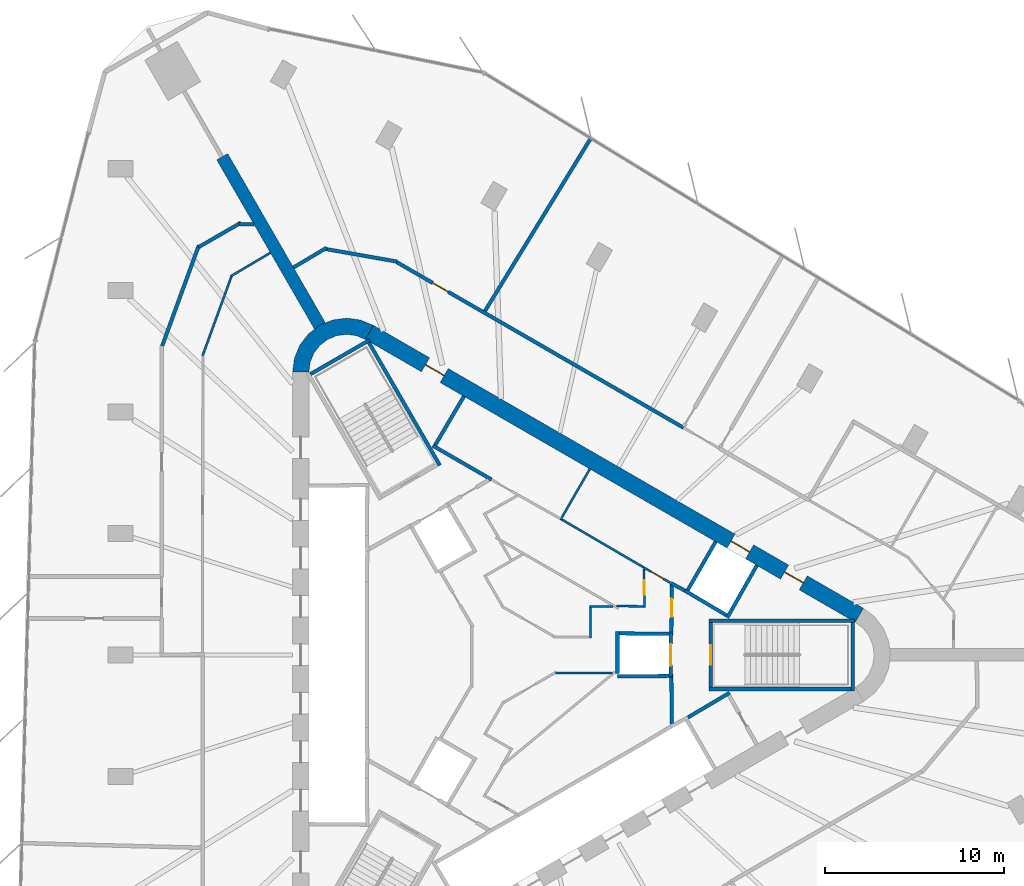
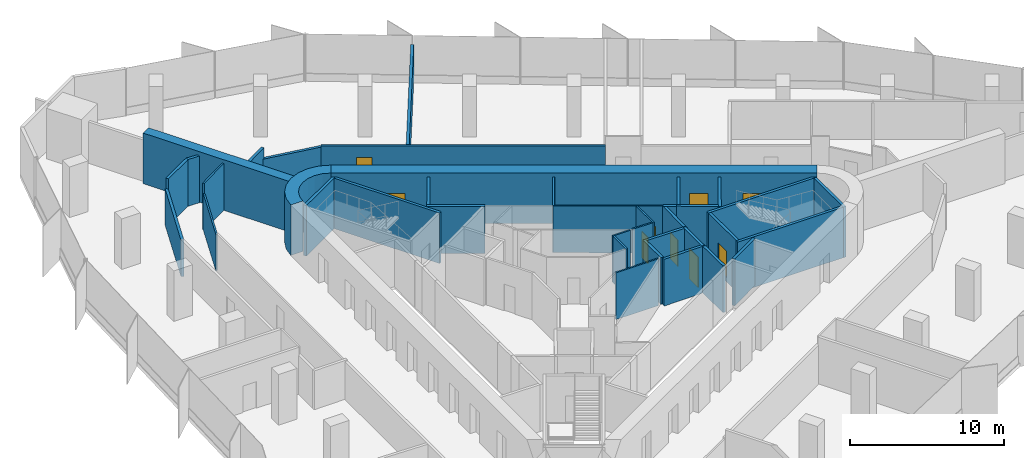
# One storey, part 11 of 14: 39 walls, 9 doors, 9 openings.
"""IFC4 building model written with IfcOpenShell, lengths in metres."""

from ifc_helpers import new_model, si_unit, direction, frame, frame_2d, origin, place, context, subcontext, project, spatial, polyline, rectangle, outline, extrude, material, layer, layer_set, type_object, element, fill, save


model = new_model("IFC4")

# Units and contexts
model_context = context("Model", 3, precision=1e-05, world=origin(), true_north=direction((0.0, 1.0)))
body_context = subcontext(model_context, "Body", "Model", "MODEL_VIEW")
ifc_project = project(units=[si_unit("LENGTHUNIT", "METRE"), si_unit("AREAUNIT", "SQUARE_METRE"), si_unit("VOLUMEUNIT", "CUBIC_METRE"), si_unit("PLANEANGLEUNIT", "RADIAN"), si_unit("MASSUNIT", "GRAM", prefix="KILO")], contexts=[model_context])

# Site, building, storey
site_placement = place(None, origin())
site = spatial("IfcSite", under=ifc_project, at=site_placement, CompositionType="ELEMENT")
building_placement = place(site_placement, origin())
building = spatial("IfcBuilding", under=site, at=building_placement, Name="Tanit Gate Tower", CompositionType="ELEMENT")
storey_placement = place(building_placement, frame((0.0, 0.0, 249.199951171875)))
storey = spatial("IfcBuildingStorey", under=building, at=storey_placement, Name="L56", CompositionType="ELEMENT", Elevation=249.199951171875)

# Wall
ifc_material_1 = material(Name="Concrete C50/60", Category="concrete")
ifc_layer_1 = layer(ifc_material_1, 0.699951171875)
ifc_layer_set_1 = layer_set([ifc_layer_1], Name="BUTTRESS FIN 700 C50/60")
wall_type_1 = type_object("IfcWallType", Name="BUTTRESS FIN 700 C50/60", PredefinedType="SHEAR", material=ifc_layer_set_1)
wall_1_placement = place(storey_placement, frame((-10.574951171875, 18.31640625, 0.0), z_axis=(0.0, 0.0, 1.0), x_axis=(-0.500002931134, 0.866023711487, 0.0)))
element("IfcWall", 1, at=wall_1_placement, inside=storey, type_object=wall_type_1, Name="BUTTRESS FIN", PredefinedType="SHEAR", context=body_context, shape_type="SweptSolid", body=[
    extrude(rectangle(XDim=10.900390625, YDim=0.699951171875, at=frame_2d((5.4501953125, 0.0))), origin(), (0.0, 0.0, 1.0), 4.0),
])

# Wall, openings, doors
ifc_material_2 = material(Name="Concrete C50/60", Category="concrete")
ifc_layer_2 = layer(ifc_material_2, 0.89990234375)
ifc_layer_set_2 = layer_set([ifc_layer_2], Name="CORE WALL 900 C50/60")
wall_type_2 = type_object("IfcWallType", Name="CORE WALL 900 C50/60", PredefinedType="SHEAR", material=ifc_layer_set_2)
wall_2_placement = place(storey_placement, frame((19.47509765625, 2.20849609375, 0.0), z_axis=(0.0, 0.0, 1.0), x_axis=(-0.866028369851, 0.499994862586, 0.0)))
wall_2 = element("IfcWall", 2, at=wall_2_placement, inside=storey, type_object=wall_type_2, Name="CORE WALL", PredefinedType="SHEAR", context=body_context, shape_type="SweptSolid", body=[
    extrude(rectangle(XDim=31.523193359375, YDim=0.89990234375, at=frame_2d((15.76171875, 0.0))), origin(), (0.0, 0.0, 1.0), 4.0),
])
opening_1_placement = place(wall_2_placement, frame((7.0615234375, 0.0, 0.0)))
opening_1 = element("IfcOpeningElement", 3, at=opening_1_placement, cuts=wall_2, Name="Opening LDML8-S15", PredefinedType="OPENING", context=body_context, shape_type="SweptSolid", body=[
    extrude(rectangle(XDim=1.199951171875, YDim=2.39990234375, at=frame_2d((0.60009765625, 1.199951171875))), frame((0.0, 0.4599609375, 0.0), z_axis=(0.0, -1.0, 0.0), x_axis=(1.0, 0.0, 0.0)), (0.0, 0.0, 1.0), 0.919921875),
])
opening_2_placement = place(wall_2_placement, frame((3.611572265625, 0.0, 0.0)))
opening_2 = element("IfcOpeningElement", 4, at=opening_2_placement, cuts=wall_2, Name="Opening F12-S15-FL1", PredefinedType="OPENING", context=body_context, shape_type="SweptSolid", body=[
    extrude(rectangle(XDim=1.199951171875, YDim=2.39990234375, at=frame_2d((0.60009765625, 1.199951171875))), frame((0.0, 0.4599609375, 0.0), z_axis=(0.0, -1.0, 0.0), x_axis=(1.0, 0.0, 0.0)), (0.0, 0.0, 1.0), 0.919921875),
])
opening_3_placement = place(wall_2_placement, frame((26.711669921875, 0.0, 0.0)))
opening_3 = element("IfcOpeningElement", 5, at=opening_3_placement, cuts=wall_2, Name="Opening F12-S15-S2", PredefinedType="OPENING", context=body_context, shape_type="SweptSolid", body=[
    extrude(rectangle(XDim=1.199951171875, YDim=2.39990234375, at=frame_2d((0.60009765625, 1.199951171875))), frame((0.0, 0.4599609375, 0.0), z_axis=(0.0, -1.0, 0.0), x_axis=(1.0, 0.0, 0.0)), (0.0, 0.0, 1.0), 0.919921875),
])
ifc_material_3 = material(Name="Fire-rated steel door leaf", Category="steel")
door_type_1 = type_object("IfcDoorType", Name="INT-DOOR-FIRE-LOBBY-1200", OperationType="NOTDEFINED", PredefinedType="USERDEFINED", material=ifc_material_3)
door_1_placement = place(opening_2_placement, origin())
door_1 = element("IfcDoor", 6, at=door_1_placement, inside=storey, type_object=door_type_1, Name="Door F12-S15-FL1", ObjectType="FIRE DOOR", OperationType="SINGLE_SWING_LEFT", OverallHeight=2.39990234375, OverallWidth=1.199951171875, PredefinedType="USERDEFINED", context=body_context, shape_type="SweptSolid", body=[
    extrude(rectangle(XDim=1.199951171875, YDim=2.39990234375, at=frame_2d((0.60009765625, 1.199951171875))), frame((0.0, 0.02490234375, 0.0), z_axis=(0.0, -1.0, 0.0), x_axis=(1.0, 0.0, 0.0)), (0.0, 0.0, 1.0), 0.050048828125),
])
fill(opening_2, door_1)
door_2_placement = place(opening_3_placement, origin())
door_2 = element("IfcDoor", 7, at=door_2_placement, inside=storey, type_object=door_type_1, Name="Door F12-S15-S2", ObjectType="FIRE DOOR", OperationType="SINGLE_SWING_LEFT", OverallHeight=2.39990234375, OverallWidth=1.199951171875, PredefinedType="USERDEFINED", context=body_context, shape_type="SweptSolid", body=[
    extrude(rectangle(XDim=1.199951171875, YDim=2.39990234375, at=frame_2d((0.60009765625, 1.199951171875))), frame((0.0, 0.02490234375, 0.0), z_axis=(0.0, -1.0, 0.0), x_axis=(1.0, 0.0, 0.0)), (0.0, 0.0, 1.0), 0.050048828125),
])
fill(opening_3, door_2)
ifc_material_4 = material(Name="Stainless steel sliding door leaf", Category="steel")
door_type_2 = type_object("IfcDoorType", Name="INT-DOOR-LANDING-1200", OperationType="NOTDEFINED", PredefinedType="USERDEFINED", material=ifc_material_4)
door_3_placement = place(opening_1_placement, origin())
door_3 = element("IfcDoor", 8, at=door_3_placement, inside=storey, type_object=door_type_2, Name="Door LDML8-S15", ObjectType="LANDING DOOR", OperationType="SLIDING_TO_LEFT", OverallHeight=2.39990234375, OverallWidth=1.199951171875, PredefinedType="USERDEFINED", context=body_context, shape_type="SweptSolid", body=[
    extrude(rectangle(XDim=1.199951171875, YDim=2.39990234375, at=frame_2d((0.60009765625, 1.199951171875))), frame((0.0, 0.02490234375, 0.0), z_axis=(0.0, -1.0, 0.0), x_axis=(1.0, 0.0, 0.0)), (0.0, 0.0, 1.0), 0.050048828125),
])
fill(opening_1, door_3)

# Walls
wall_3_placement = place(storey_placement, origin())
element("IfcWall", 9, at=wall_3_placement, inside=storey, type_object=wall_type_2, Name="CORE WALL CORNER", PredefinedType="SHEAR", context=body_context, shape_type="SweptSolid", body=[
    extrude(outline(polyline([(-7.60009765625, 18.359619140625), (-8.323486328125, 18.659423828125), (-9.10009765625, 18.76171875), (-9.87646484375, 18.659423828125), (-10.60009765625, 18.359619140625), (-11.22119140625, 17.883056640625), (-11.697998046875, 17.26171875), (-11.997802734375, 16.5380859375), (-12.10009765625, 15.76171875), (-11.199951171875, 15.76171875), (-11.12841796875, 16.30517578125), (-10.918701171875, 16.811767578125), (-10.5849609375, 17.24658203125), (-10.14990234375, 17.580322265625), (-9.6435546875, 17.7900390625), (-9.10009765625, 17.86181640625), (-8.556396484375, 17.7900390625), (-8.050048828125, 17.580322265625), (-7.60009765625, 18.359619140625)])), origin(), (0.0, 0.0, 1.0), 4.0),
])
ifc_material_5 = material(Name="Fire-rated gypsum board partition")
ifc_layer_3 = layer(ifc_material_5, 0.199951171875)
ifc_layer_set_3 = layer_set([ifc_layer_3], Name="INT-WALL-COMPARTMENT")
wall_type_3 = type_object("IfcWallType", Name="INT-WALL-COMPARTMENT", PredefinedType="PARTITIONING", material=ifc_layer_set_3)
wall_4_placement = place(storey_placement, frame((8.97412109375, 3.998779296875, 0.0), z_axis=(0.0, 0.0, 1.0), x_axis=(0.880917147855, -0.473270513147, 0.0)))
element("IfcWall", 10, at=wall_4_placement, inside=storey, type_object=wall_type_3, Name="Wall Compartment W050", PredefinedType="PARTITIONING", context=body_context, shape_type="SweptSolid", body=[
    extrude(rectangle(XDim=0.8779296875, YDim=0.199951171875, at=frame_2d((0.43896484375, 0.0))), origin(), (0.0, 0.0, 1.0), 3.699951171875),
])
wall_5_placement = place(storey_placement, frame((-4.295654296875, 11.659912109375, 0.0), z_axis=(0.0, 0.0, 1.0), x_axis=(0.866027389382, -0.499996560828, 0.0)))
element("IfcWall", 11, at=wall_5_placement, inside=storey, type_object=wall_type_3, Name="Wall Compartment W053", PredefinedType="PARTITIONING", context=body_context, shape_type="SweptSolid", body=[
    extrude(rectangle(XDim=3.77783203125, YDim=0.199951171875, at=frame_2d((1.888916015625, 0.0))), origin(), (0.0, 0.0, 1.0), 3.699951171875),
])
wall_6_placement = place(storey_placement, frame((-2.557861328125, 14.409423828125, 0.0), z_axis=(0.0, 0.0, 1.0), x_axis=(-0.508018930956, -0.861345903683, 0.0)))
element("IfcWall", 12, at=wall_6_placement, inside=storey, type_object=wall_type_3, Name="Wall Compartment W054", PredefinedType="PARTITIONING", context=body_context, shape_type="SweptSolid", body=[
    extrude(rectangle(XDim=3.150146484375, YDim=0.199951171875, at=frame_2d((1.5751953125, 0.0))), origin(), (0.0, 0.0, 1.0), 3.699951171875),
])
wall_7_placement = place(storey_placement, frame((12.244873046875, -2.10888671875, 0.0), z_axis=(0.0, 0.0, 1.0), x_axis=(-0.860414880418, -0.509594185166, 0.0)))
element("IfcWall", 13, at=wall_7_placement, inside=storey, type_object=wall_type_3, Name="Wall Compartment W057", PredefinedType="PARTITIONING", context=body_context, shape_type="SweptSolid", body=[
    extrude(rectangle(XDim=2.7001953125, YDim=0.199951171875, at=frame_2d((1.35009765625, 0.0))), origin(), (0.0, 0.0, 1.0), 3.699951171875),
])
wall_8_placement = place(storey_placement, frame((9.02880859375, -3.8505859375, 0.0), z_axis=(0.0, 0.0, 1.0), x_axis=(-0.010784614026, 0.999941844359, 0.0)))
element("IfcWall", 14, at=wall_8_placement, inside=storey, type_object=wall_type_3, Name="Wall Compartment W059", PredefinedType="PARTITIONING", context=body_context, shape_type="SweptSolid", body=[
    extrude(rectangle(XDim=2.580810546875, YDim=0.199951171875, at=frame_2d((1.29052734375, 0.0))), origin(), (0.0, 0.0, 1.0), 3.699951171875),
])

# Wall, opening, door
wall_9_placement = place(storey_placement, frame((9.0009765625, 1.27001953125, 0.0), z_axis=(0.0, 0.0, 1.0), x_axis=(0.010723968736, 0.999942496594, 0.0)))
wall_9 = element("IfcWall", 15, at=wall_9_placement, inside=storey, type_object=wall_type_3, Name="Wall Compartment W060", PredefinedType="PARTITIONING", context=body_context, shape_type="SweptSolid", body=[
    extrude(rectangle(XDim=2.709228515625, YDim=0.199951171875, at=frame_2d((1.3544921875, 0.0))), origin(), (0.0, 0.0, 1.0), 3.699951171875),
])
opening_4_placement = place(wall_9_placement, frame((0.848388671875, 0.0, 0.0)))
opening_4 = element("IfcOpeningElement", 16, at=opening_4_placement, cuts=wall_9, Name="Opening F10-S15-02", PredefinedType="OPENING", context=body_context, shape_type="SweptSolid", body=[
    extrude(rectangle(XDim=1.0, YDim=2.10009765625, at=frame_2d((0.5, 1.050048828125))), frame((0.0, 0.10986328125, 0.0), z_axis=(0.0, -1.0, 0.0), x_axis=(1.0, 0.0, 0.0)), (0.0, 0.0, 1.0), 0.219970703125),
])
ifc_material_6 = material(Name="Fire-rated steel door leaf", Category="steel")
door_type_3 = type_object("IfcDoorType", Name="INT-DOOR-FIRE-1000", OperationType="NOTDEFINED", PredefinedType="USERDEFINED", material=ifc_material_6)
door_4_placement = place(opening_4_placement, origin())
door_4 = element("IfcDoor", 17, at=door_4_placement, inside=storey, type_object=door_type_3, Name="Door F10-S15-02", ObjectType="FIRE DOOR", OperationType="SINGLE_SWING_RIGHT", OverallHeight=2.10009765625, OverallWidth=1.0, PredefinedType="USERDEFINED", context=body_context, shape_type="SweptSolid", body=[
    extrude(rectangle(XDim=1.0, YDim=2.10009765625, at=frame_2d((0.5, 1.050048828125))), frame((0.0, 0.02490234375, 0.0), z_axis=(0.0, -1.0, 0.0), x_axis=(1.0, 0.0, 0.0)), (0.0, 0.0, 1.0), 0.050048828125),
])
fill(opening_4, door_4)

# Walls
wall_10_placement = place(storey_placement, frame((-17.33056640625, 22.81396484375, 0.0), z_axis=(0.0, 0.0, 1.0), x_axis=(-0.342006584993, -0.939697555505, 0.0)))
element("IfcWall", 18, at=wall_10_placement, inside=storey, type_object=wall_type_3, Name="Wall Compartment W095", PredefinedType="PARTITIONING", context=body_context, shape_type="SweptSolid", body=[
    extrude(rectangle(XDim=5.95068359375, YDim=0.199951171875, at=frame_2d((2.975341796875, 0.0))), origin(), (0.0, 0.0, 1.0), 2.880126953125),
])
wall_11_placement = place(storey_placement, frame((-14.97998046875, 24.082763671875, 0.0), z_axis=(0.0, 0.0, 1.0), x_axis=(-0.866008795918, -0.500028764566, 0.0)))
element("IfcWall", 19, at=wall_11_placement, inside=storey, type_object=wall_type_3, Name="Wall Compartment W096", PredefinedType="PARTITIONING", context=body_context, shape_type="SweptSolid", body=[
    extrude(rectangle(XDim=2.713623046875, YDim=0.199951171875, at=frame_2d((1.35693359375, 0.0))), origin(), (0.0, 0.0, 1.0), 3.699951171875),
])
wall_12_placement = place(storey_placement, frame((-14.250244140625, 23.982421875, 0.0), z_axis=(0.0, 0.0, 1.0), x_axis=(-0.999799129767, 0.02004245786, 0.0)))
element("IfcWall", 20, at=wall_12_placement, inside=storey, type_object=wall_type_3, Name="Wall Compartment W097", PredefinedType="PARTITIONING", context=body_context, shape_type="SweptSolid", body=[
    extrude(rectangle(XDim=0.840576171875, YDim=0.199951171875, at=frame_2d((0.42041015625, 0.0))), origin(), (0.0, 0.0, 1.0), 3.699951171875),
])
wall_13_placement = place(storey_placement, frame((-10.209716796875, 22.681396484375, 0.0), z_axis=(0.0, 0.0, 1.0), x_axis=(-0.859700405816, -0.510798602425, 0.0)))
element("IfcWall", 21, at=wall_13_placement, inside=storey, type_object=wall_type_3, Name="Wall Compartment W103", PredefinedType="PARTITIONING", context=body_context, shape_type="SweptSolid", body=[
    extrude(rectangle(XDim=2.14892578125, YDim=0.199951171875, at=frame_2d((1.074462890625, 0.0))), origin(), (0.0, 0.0, 1.0), 3.699951171875),
])
wall_14_placement = place(storey_placement, frame((-6.28515625, 21.91259765625, 0.0), z_axis=(0.0, 0.0, 1.0), x_axis=(-0.984806073034, 0.173657705026, 0.0)))
element("IfcWall", 22, at=wall_14_placement, inside=storey, type_object=wall_type_3, Name="Wall Compartment W104", PredefinedType="PARTITIONING", context=body_context, shape_type="SweptSolid", body=[
    extrude(rectangle(XDim=4.03759765625, YDim=0.199951171875, at=frame_2d((2.018798828125, 0.0))), origin(), (0.0, 0.0, 1.0), 2.880126953125),
])

# Wall, opening, door
wall_15_placement = place(storey_placement, frame((9.67529296875, 12.658203125, 0.0), z_axis=(0.0, 0.0, 1.0), x_axis=(-0.866025327327, 0.500000132428, 0.0)))
wall_15 = element("IfcWall", 23, at=wall_15_placement, inside=storey, type_object=wall_type_3, Name="Wall Compartment W106", PredefinedType="PARTITIONING", context=body_context, shape_type="SweptSolid", body=[
    extrude(rectangle(XDim=18.443359375, YDim=0.199951171875, at=frame_2d((9.2216796875, 0.0))), origin(), (0.0, 0.0, 1.0), 2.97998046875),
])
opening_5_placement = place(wall_15_placement, frame((15.1376953125, 0.0, 0.0)))
opening_5 = element("IfcOpeningElement", 24, at=opening_5_placement, cuts=wall_15, Name="Opening F10-S15-34", PredefinedType="OPENING", context=body_context, shape_type="SweptSolid", body=[
    extrude(rectangle(XDim=1.0, YDim=2.10009765625, at=frame_2d((0.5, 1.050048828125))), frame((0.0, 0.10986328125, 0.0), z_axis=(0.0, -1.0, 0.0), x_axis=(1.0, 0.0, 0.0)), (0.0, 0.0, 1.0), 0.219970703125),
])
door_5_placement = place(opening_5_placement, origin())
door_5 = element("IfcDoor", 25, at=door_5_placement, inside=storey, type_object=door_type_3, Name="Door F10-S15-34", ObjectType="FIRE DOOR", OperationType="SINGLE_SWING_LEFT", OverallHeight=2.10009765625, OverallWidth=1.0, PredefinedType="USERDEFINED", context=body_context, shape_type="SweptSolid", body=[
    extrude(rectangle(XDim=1.0, YDim=2.10009765625, at=frame_2d((0.5, 1.050048828125))), frame((0.0, 0.02490234375, 0.0), z_axis=(0.0, -1.0, 0.0), x_axis=(1.0, 0.0, 0.0)), (0.0, 0.0, 1.0), 0.050048828125),
])
fill(opening_5, door_5)

# Walls
wall_16_placement = place(storey_placement, frame((-1.38525390625, 19.15966796875, 0.0), z_axis=(0.0, 0.0, 1.0), x_axis=(0.522271376538, 0.852779343822, 0.0)))
element("IfcWall", 26, at=wall_16_placement, inside=storey, type_object=wall_type_3, Name="Wall Compartment W133", PredefinedType="PARTITIONING", context=body_context, shape_type="SweptSolid", body=[
    extrude(rectangle(XDim=11.286376953125, YDim=0.199951171875, at=frame_2d((5.64306640625, 0.0))), origin(), (0.0, 0.0, 1.0), 2.97998046875),
])
ifc_material_7 = material(Name="Gypsum board partition")
ifc_layer_4 = layer(ifc_material_7, 0.1201171875)
ifc_layer_set_4 = layer_set([ifc_layer_4], Name="INT-WALL-PARTITION")
wall_type_4 = type_object("IfcWallType", Name="INT-WALL-PARTITION", PredefinedType="PARTITIONING", material=ifc_layer_set_4)
wall_17_placement = place(storey_placement, frame((4.456787109375, 10.359375, 0.0), z_axis=(0.0, 0.0, 1.0), x_axis=(-0.500017246033, -0.866015446554, 0.0)))
element("IfcWall", 27, at=wall_17_placement, inside=storey, type_object=wall_type_4, Name="Wall Partition W049", PredefinedType="PARTITIONING", context=body_context, shape_type="SweptSolid", body=[
    extrude(rectangle(XDim=3.25, YDim=0.1201171875, at=frame_2d((1.625, 0.0))), origin(), (0.0, 0.0, 1.0), 3.699951171875),
])
wall_18_placement = place(storey_placement, frame((2.82080078125, 7.5859375, 0.0), z_axis=(0.0, 0.0, 1.0), x_axis=(0.863262357411, -0.504755487615, 0.0)))
element("IfcWall", 28, at=wall_18_placement, inside=storey, type_object=wall_type_4, Name="Wall Partition W051", PredefinedType="PARTITIONING", context=body_context, shape_type="SweptSolid", body=[
    extrude(rectangle(XDim=5.370361328125, YDim=0.1201171875, at=frame_2d((2.68505859375, 0.0))), origin(), (0.0, 0.0, 1.0), 3.699951171875),
])

# Wall, opening, door
wall_19_placement = place(storey_placement, frame((7.45654296875, 4.874755859375, 0.0), z_axis=(0.0, 0.0, 1.0), x_axis=(0.866027945518, -0.499995597562, 0.0)))
wall_19 = element("IfcWall", 29, at=wall_19_placement, inside=storey, type_object=wall_type_4, Name="Wall Partition W052", PredefinedType="PARTITIONING", context=body_context, shape_type="SweptSolid", body=[
    extrude(rectangle(XDim=1.7021484375, YDim=0.1201171875, at=frame_2d((0.85107421875, 0.0))), origin(), (0.0, 0.0, 1.0), 3.699951171875),
])
opening_6_placement = place(wall_19_placement, frame((0.461181640625, 0.0, 0.0)))
opening_6 = element("IfcOpeningElement", 30, at=opening_6_placement, cuts=wall_19, Name="Opening R08-S15-15", PredefinedType="OPENING", context=body_context, shape_type="SweptSolid", body=[
    extrude(rectangle(XDim=0.800048828125, YDim=2.10009765625, at=frame_2d((0.39990234375, 1.050048828125))), frame((0.0, 0.070068359375, 0.0), z_axis=(0.0, -1.0, 0.0), x_axis=(1.0, 0.0, 0.0)), (0.0, 0.0, 1.0), 0.14013671875),
])
ifc_material_8 = material(Name="Timber door leaf", Category="wood")
door_type_4 = type_object("IfcDoorType", Name="INT-DOOR-RISER-800", OperationType="NOTDEFINED", PredefinedType="USERDEFINED", material=ifc_material_8)
door_6_placement = place(opening_6_placement, origin())
door_6 = element("IfcDoor", 31, at=door_6_placement, inside=storey, type_object=door_type_4, Name="Door R08-S15-15", ObjectType="FIRE DOOR", OperationType="SINGLE_SWING_RIGHT", OverallHeight=2.10009765625, OverallWidth=0.800048828125, PredefinedType="USERDEFINED", context=body_context, shape_type="SweptSolid", body=[
    extrude(rectangle(XDim=0.800048828125, YDim=2.10009765625, at=frame_2d((0.39990234375, 1.050048828125))), frame((0.0, 0.02490234375, 0.0), z_axis=(0.0, -1.0, 0.0), x_axis=(1.0, 0.0, 0.0)), (0.0, 0.0, 1.0), 0.050048828125),
])
fill(opening_6, door_6)

# Walls
wall_20_placement = place(storey_placement, frame((5.712646484375, -1.0, 0.0), z_axis=(0.0, 0.0, 1.0), x_axis=(-1.0, 0.0, 0.0)))
element("IfcWall", 32, at=wall_20_placement, inside=storey, type_object=wall_type_4, Name="Wall Partition W073", PredefinedType="PARTITIONING", context=body_context, shape_type="SweptSolid", body=[
    extrude(rectangle(XDim=3.1826171875, YDim=0.1201171875, at=frame_2d((1.59130859375, 0.0))), origin(), (0.0, 0.0, 1.0), 3.699951171875),
])
wall_21_placement = place(storey_placement, frame((4.43994140625, 2.699951171875, 0.0), z_axis=(0.0, 0.0, 1.0), x_axis=(1.0, 0.0, 0.0)))
element("IfcWall", 33, at=wall_21_placement, inside=storey, type_object=wall_type_4, Name="Wall Partition W077", PredefinedType="PARTITIONING", context=body_context, shape_type="SweptSolid", body=[
    extrude(rectangle(XDim=1.301513671875, YDim=0.1201171875, at=frame_2d((0.65087890625, 0.0))), origin(), (0.0, 0.0, 1.0), 3.699951171875),
])
wall_22_placement = place(storey_placement, frame((4.5, 0.93994140625, 0.0), z_axis=(0.0, 0.0, 1.0), x_axis=(0.0, 1.0, 0.0)))
element("IfcWall", 34, at=wall_22_placement, inside=storey, type_object=wall_type_4, Name="Wall Partition W078", PredefinedType="PARTITIONING", context=body_context, shape_type="SweptSolid", body=[
    extrude(rectangle(XDim=1.699951171875, YDim=0.1201171875, at=frame_2d((0.85009765625, 0.0))), origin(), (0.0, 0.0, 1.0), 3.699951171875),
])

# Wall, opening, door
wall_23_placement = place(storey_placement, frame((7.500732421875, 2.639892578125, 0.0), z_axis=(0.0, 0.0, 1.0), x_axis=(-0.01178388431, 0.999930567625, 0.0)))
wall_23 = element("IfcWall", 35, at=wall_23_placement, inside=storey, type_object=wall_type_4, Name="Wall Partition W086", PredefinedType="PARTITIONING", context=body_context, shape_type="SweptSolid", body=[
    extrude(rectangle(XDim=2.15478515625, YDim=0.1201171875, at=frame_2d((1.077392578125, 0.0))), origin(), (0.0, 0.0, 1.0), 3.699951171875),
])
opening_7_placement = place(wall_23_placement, frame((0.707275390625, 0.0, 0.0)))
opening_7 = element("IfcOpeningElement", 36, at=opening_7_placement, cuts=wall_23, Name="Opening R08-S15-14", PredefinedType="OPENING", context=body_context, shape_type="SweptSolid", body=[
    extrude(rectangle(XDim=0.800048828125, YDim=2.10009765625, at=frame_2d((0.39990234375, 1.050048828125))), frame((0.0, 0.070068359375, 0.0), z_axis=(0.0, -1.0, 0.0), x_axis=(1.0, 0.0, 0.0)), (0.0, 0.0, 1.0), 0.14013671875),
])
door_7_placement = place(opening_7_placement, origin())
door_7 = element("IfcDoor", 37, at=door_7_placement, inside=storey, type_object=door_type_4, Name="Door R08-S15-14", ObjectType="FIRE DOOR", OperationType="SINGLE_SWING_LEFT", OverallHeight=2.10009765625, OverallWidth=0.800048828125, PredefinedType="USERDEFINED", context=body_context, shape_type="SweptSolid", body=[
    extrude(rectangle(XDim=0.800048828125, YDim=2.10009765625, at=frame_2d((0.39990234375, 1.050048828125))), frame((0.0, 0.02490234375, 0.0), z_axis=(0.0, -1.0, 0.0), x_axis=(1.0, 0.0, 0.0)), (0.0, 0.0, 1.0), 0.050048828125),
])
fill(opening_7, door_7)

# Walls
wall_24_placement = place(storey_placement, frame((5.93408203125, 2.727294921875, 0.0), z_axis=(0.0, 0.0, 1.0), x_axis=(0.999846739959, -0.017507044085, 0.0)))
element("IfcWall", 38, at=wall_24_placement, inside=storey, type_object=wall_type_4, Name="Wall Partition W087", PredefinedType="PARTITIONING", context=body_context, shape_type="SweptSolid", body=[
    extrude(rectangle(XDim=1.506103515625, YDim=0.1201171875, at=frame_2d((0.7529296875, 0.0))), origin(), (0.0, 0.0, 1.0), 3.699951171875),
])
wall_25_placement = place(storey_placement, frame((-13.33935546875, 22.404541015625, 0.0), z_axis=(0.0, 0.0, 1.0), x_axis=(-0.86070028932, -0.509111983718, 0.0)))
element("IfcWall", 39, at=wall_25_placement, inside=storey, type_object=wall_type_4, Name="Wall Partition W088", PredefinedType="PARTITIONING", context=body_context, shape_type="SweptSolid", body=[
    extrude(rectangle(XDim=2.578857421875, YDim=0.1201171875, at=frame_2d((1.28955078125, 0.0))), origin(), (0.0, 0.0, 1.0), 3.699951171875),
])
wall_26_placement = place(storey_placement, frame((-15.505859375, 21.102783203125, 0.0), z_axis=(0.0, 0.0, 1.0), x_axis=(-0.342017079535, -0.939693735909, 0.0)))
element("IfcWall", 40, at=wall_26_placement, inside=storey, type_object=wall_type_4, Name="Wall Partition W089", PredefinedType="PARTITIONING", context=body_context, shape_type="SweptSolid", body=[
    extrude(rectangle(XDim=4.72119140625, YDim=0.1201171875, at=frame_2d((2.360595703125, 0.0))), origin(), (0.0, 0.0, 1.0), 2.880126953125),
])
ifc_material_9 = material(Name="Gypsum shaft wall system")
ifc_layer_5 = layer(ifc_material_9, 0.199951171875)
ifc_layer_set_5 = layer_set([ifc_layer_5], Name="INT-WALL-SHAFT")
wall_type_5 = type_object("IfcWallType", Name="INT-WALL-SHAFT", PredefinedType="PLUMBINGWALL", material=ifc_layer_set_5)
wall_27_placement = place(storey_placement, frame((9.8466796875, 3.494873046875, 0.0), z_axis=(0.0, 0.0, 1.0), x_axis=(0.499984717929, 0.866034226713, 0.0)))
element("IfcWall", 41, at=wall_27_placement, inside=storey, type_object=wall_type_5, Name="Wall Shaft W012", PredefinedType="PLUMBINGWALL", context=body_context, shape_type="SweptSolid", body=[
    extrude(rectangle(XDim=3.25, YDim=0.199951171875, at=frame_2d((1.625, 0.0))), origin(), (0.0, 0.0, 1.0), 3.699951171875),
])
wall_28_placement = place(storey_placement, frame((12.10986328125, 2.07275390625, 0.0), z_axis=(0.0, 0.0, 1.0), x_axis=(0.49196600604, 0.870614408852, 0.0)))
element("IfcWall", 42, at=wall_28_placement, inside=storey, type_object=wall_type_5, Name="Wall Shaft W013", PredefinedType="PLUMBINGWALL", context=body_context, shape_type="SweptSolid", body=[
    extrude(rectangle(XDim=3.35009765625, YDim=0.199951171875, at=frame_2d((1.675048828125, 0.0))), origin(), (0.0, 0.0, 1.0), 3.699951171875),
])
wall_29_placement = place(storey_placement, frame((12.072998046875, 2.2109375, 0.0), z_axis=(0.0, 0.0, 1.0), x_axis=(-0.860414880418, 0.509594185166, 0.0)))
element("IfcWall", 43, at=wall_29_placement, inside=storey, type_object=wall_type_5, Name="Wall Shaft W014", PredefinedType="PLUMBINGWALL", context=body_context, shape_type="SweptSolid", body=[
    extrude(rectangle(XDim=2.7001953125, YDim=0.199951171875, at=frame_2d((1.35009765625, 0.0))), origin(), (0.0, 0.0, 1.0), 3.699951171875),
])

# Wall, opening, door
wall_30_placement = place(storey_placement, frame((8.969970703125, 1.199951171875, 0.0), z_axis=(0.0, 0.0, 1.0), x_axis=(0.0, -1.0, 0.0)))
wall_30 = element("IfcWall", 44, at=wall_30_placement, inside=storey, type_object=wall_type_5, Name="Wall Shaft W029", PredefinedType="PLUMBINGWALL", context=body_context, shape_type="SweptSolid", body=[
    extrude(rectangle(XDim=2.39990234375, YDim=0.199951171875, at=frame_2d((1.199951171875, 0.0))), origin(), (0.0, 0.0, 1.0), 3.699951171875),
])
opening_8_placement = place(wall_30_placement, frame((0.60009765625, 0.0, 0.0)))
opening_8 = element("IfcOpeningElement", 45, at=opening_8_placement, cuts=wall_30, Name="Opening LDFL1-L56", PredefinedType="OPENING", context=body_context, shape_type="SweptSolid", body=[
    extrude(rectangle(XDim=1.199951171875, YDim=2.39990234375, at=frame_2d((0.60009765625, 1.199951171875))), frame((0.0, 0.10986328125, 0.0), z_axis=(0.0, -1.0, 0.0), x_axis=(1.0, 0.0, 0.0)), (0.0, 0.0, 1.0), 0.219970703125),
])
door_8_placement = place(opening_8_placement, origin())
door_8 = element("IfcDoor", 46, at=door_8_placement, inside=storey, type_object=door_type_2, Name="Door LDFL1-L56", ObjectType="LANDING DOOR", OperationType="SLIDING_TO_LEFT", OverallHeight=2.39990234375, OverallWidth=1.199951171875, PredefinedType="USERDEFINED", context=body_context, shape_type="SweptSolid", body=[
    extrude(rectangle(XDim=1.199951171875, YDim=2.39990234375, at=frame_2d((0.60009765625, 1.199951171875))), frame((0.0, 0.02490234375, 0.0), z_axis=(0.0, -1.0, 0.0), x_axis=(1.0, 0.0, 0.0)), (0.0, 0.0, 1.0), 0.050048828125),
])
fill(opening_8, door_8)

# Walls
wall_31_placement = place(storey_placement, frame((9.10009765625, -1.1689453125, 0.0), z_axis=(0.0, 0.0, 1.0), x_axis=(-0.999949988, -0.010001074852, 0.0)))
element("IfcWall", 47, at=wall_31_placement, inside=storey, type_object=wall_type_5, Name="Wall Shaft W030", PredefinedType="PLUMBINGWALL", context=body_context, shape_type="SweptSolid", body=[
    extrude(rectangle(XDim=3.100341796875, YDim=0.199951171875, at=frame_2d((1.55029296875, 0.0))), origin(), (0.0, 0.0, 1.0), 3.699951171875),
])
wall_32_placement = place(storey_placement, frame((6.0, -1.029541015625, 0.0), z_axis=(0.0, 0.0, 1.0), x_axis=(0.0, 1.0, 0.0)))
element("IfcWall", 48, at=wall_32_placement, inside=storey, type_object=wall_type_5, Name="Wall Shaft W031", PredefinedType="PLUMBINGWALL", context=body_context, shape_type="SweptSolid", body=[
    extrude(rectangle(XDim=2.32958984375, YDim=0.199951171875, at=frame_2d((1.164794921875, 0.0))), origin(), (0.0, 0.0, 1.0), 3.699951171875),
])
wall_33_placement = place(storey_placement, frame((9.10009765625, 1.1689453125, 0.0), z_axis=(0.0, 0.0, 1.0), x_axis=(-0.99994990606, 0.010009264196, 0.0)))
element("IfcWall", 49, at=wall_33_placement, inside=storey, type_object=wall_type_5, Name="Wall Shaft W032", PredefinedType="PLUMBINGWALL", context=body_context, shape_type="SweptSolid", body=[
    extrude(rectangle(XDim=3.000244140625, YDim=0.199951171875, at=frame_2d((1.5, 0.0))), origin(), (0.0, 0.0, 1.0), 3.699951171875),
])
ifc_material_10 = material(Name="Concrete C40/50", Category="concrete")
ifc_layer_6 = layer(ifc_material_10, 0.199951171875)
ifc_layer_set_6 = layer_set([ifc_layer_6], Name="INT-WALL-STAIR")
wall_type_6 = type_object("IfcWallType", Name="INT-WALL-STAIR", PredefinedType="SHEAR", material=ifc_layer_set_6)
wall_34_placement = place(storey_placement, frame((19.199951171875, 1.89990234375, -0.300048828125), z_axis=(0.0, 0.0, 1.0), x_axis=(-1.0, 0.0, 0.0)))
element("IfcWall", 50, at=wall_34_placement, inside=storey, type_object=wall_type_6, Name="Wall Stair W025", PredefinedType="SHEAR", context=body_context, shape_type="SweptSolid", body=[
    extrude(rectangle(XDim=8.099853515625, YDim=0.199951171875, at=frame_2d((4.0498046875, 0.0))), origin(), (0.0, 0.0, 1.0), 4.0),
])
wall_35_placement = place(storey_placement, frame((19.10009765625, -2.0, -0.300048828125), z_axis=(0.0, 0.0, 1.0), x_axis=(0.0, 1.0, 0.0)))
element("IfcWall", 51, at=wall_35_placement, inside=storey, type_object=wall_type_6, Name="Wall Stair W026", PredefinedType="SHEAR", context=body_context, shape_type="SweptSolid", body=[
    extrude(rectangle(XDim=3.800048828125, YDim=0.199951171875, at=frame_2d((1.89990234375, 0.0))), origin(), (0.0, 0.0, 1.0), 4.0),
])
wall_36_placement = place(storey_placement, frame((11.10009765625, -1.89990234375, -0.300048828125), z_axis=(0.0, 0.0, 1.0), x_axis=(1.0, 0.0, 0.0)))
element("IfcWall", 52, at=wall_36_placement, inside=storey, type_object=wall_type_6, Name="Wall Stair W027", PredefinedType="SHEAR", context=body_context, shape_type="SweptSolid", body=[
    extrude(rectangle(XDim=7.89990234375, YDim=0.199951171875, at=frame_2d((3.949951171875, 0.0))), origin(), (0.0, 0.0, 1.0), 4.0),
])

# Wall, opening, door
wall_37_placement = place(storey_placement, frame((11.199951171875, -1.800048828125, -0.300048828125), z_axis=(0.0, 0.0, 1.0), x_axis=(0.0, 1.0, 0.0)))
wall_37 = element("IfcWall", 53, at=wall_37_placement, inside=storey, type_object=wall_type_6, Name="Wall Stair W028", PredefinedType="SHEAR", context=body_context, shape_type="SweptSolid", body=[
    extrude(rectangle(XDim=3.60009765625, YDim=0.199951171875, at=frame_2d((1.800048828125, 0.0))), origin(), (0.0, 0.0, 1.0), 4.0),
])
opening_9_placement = place(wall_37_placement, frame((1.25, 0.0, 0.300048828125)))
opening_9 = element("IfcOpeningElement", 54, at=opening_9_placement, cuts=wall_37, Name="Opening S11-S15-01", PredefinedType="OPENING", context=body_context, shape_type="SweptSolid", body=[
    extrude(rectangle(XDim=1.10009765625, YDim=2.10009765625, at=frame_2d((0.550048828125, 1.050048828125))), frame((0.0, 0.10986328125, 0.0), z_axis=(0.0, -1.0, 0.0), x_axis=(1.0, 0.0, 0.0)), (0.0, 0.0, 1.0), 0.219970703125),
])
ifc_material_11 = material(Name="Timber door leaf", Category="wood")
door_type_5 = type_object("IfcDoorType", Name="INT-DOOR-STAIR-1100", OperationType="NOTDEFINED", PredefinedType="USERDEFINED", material=ifc_material_11)
door_9_placement = place(opening_9_placement, origin())
door_9 = element("IfcDoor", 55, at=door_9_placement, inside=storey, type_object=door_type_5, Name="Door S11-S15-01", ObjectType="FIRE DOOR", OperationType="SINGLE_SWING_LEFT", OverallHeight=2.10009765625, OverallWidth=1.10009765625, PredefinedType="USERDEFINED", context=body_context, shape_type="SweptSolid", body=[
    extrude(rectangle(XDim=1.10009765625, YDim=2.10009765625, at=frame_2d((0.550048828125, 1.050048828125))), frame((0.0, 0.02490234375, 0.0), z_axis=(0.0, -1.0, 0.0), x_axis=(1.0, 0.0, 0.0)), (0.0, 0.0, 1.0), 0.050048828125),
])
fill(opening_9, door_9)

# Walls
wall_38_placement = place(storey_placement, frame((-7.81787109375, 17.541015625, -0.300048828125), z_axis=(0.0, 0.0, 1.0), x_axis=(-0.866044365799, -0.499967155389, 0.0)))
element("IfcWall", 56, at=wall_38_placement, inside=storey, type_object=wall_type_6, Name="Wall Stair W034", PredefinedType="SHEAR", context=body_context, shape_type="SweptSolid", body=[
    extrude(rectangle(XDim=3.800048828125, YDim=0.199951171875, at=frame_2d((1.89990234375, 0.0))), origin(), (0.0, 0.0, 1.0), 4.0),
])
wall_39_placement = place(storey_placement, frame((-7.8544921875, 17.404541015625, -0.300048828125), z_axis=(0.0, 0.0, 1.0), x_axis=(0.499997992926, -0.866026562566, 0.0)))
element("IfcWall", 57, at=wall_39_placement, inside=storey, type_object=wall_type_6, Name="Wall Stair W035", PredefinedType="SHEAR", context=body_context, shape_type="SweptSolid", body=[
    extrude(rectangle(XDim=7.89990234375, YDim=0.199951171875, at=frame_2d((3.949951171875, 0.0))), origin(), (0.0, 0.0, 1.0), 4.0),
])

save(model, "model.ifc")
